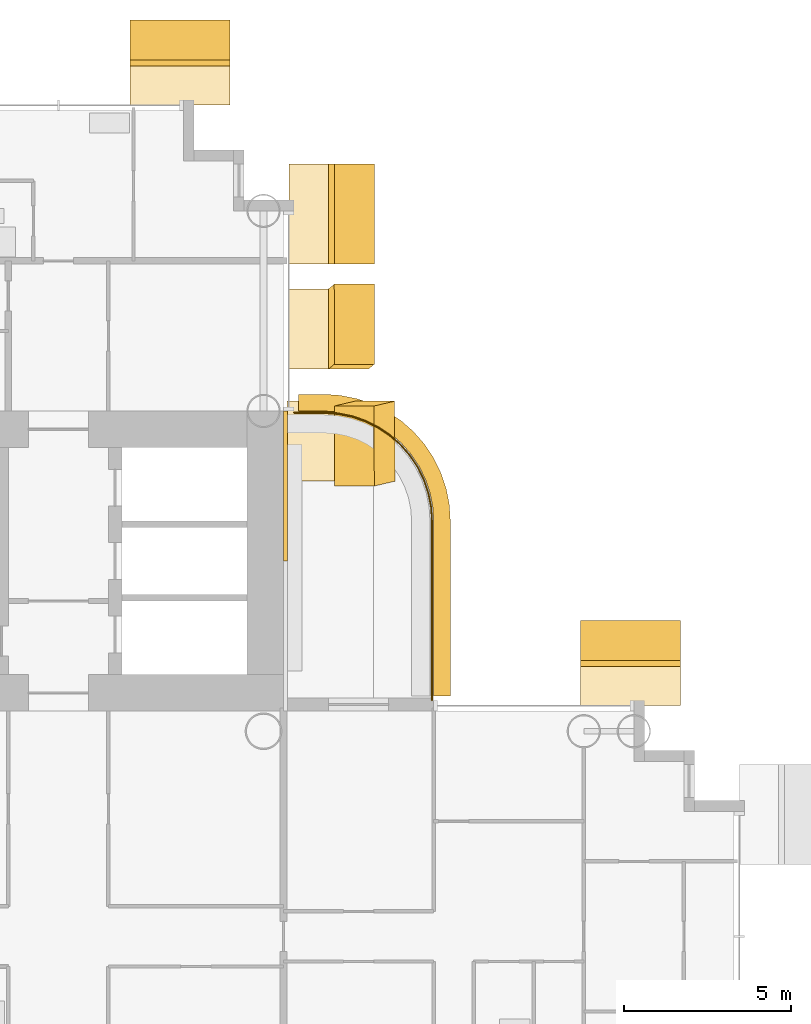
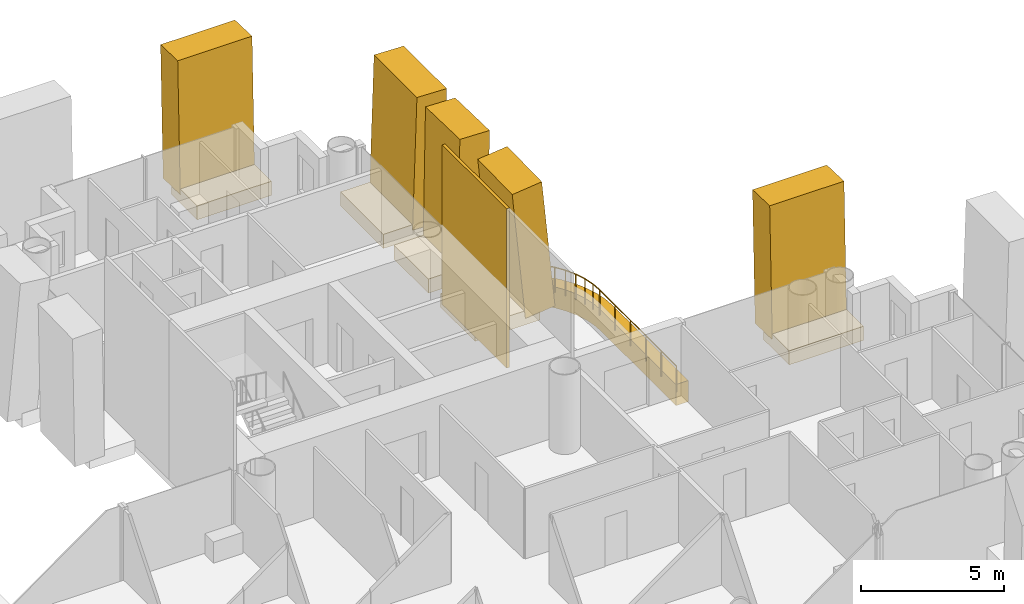
# One storey, part 24 of 25: 12 coverings, 1 railing.
"""IFC4 building model written with IfcOpenShell, lengths in metres."""

import ifcopenshell
import ifcopenshell.guid

model = None  # the IFC model being written
_history = None  # IfcOwnerHistory: only IFC2X3 demands one
_inside = {}  # id of a spatial element -> (the spatial element, [elements in it])
_under = {}  # id of a project, library or spatial element -> (it, [spatial elements below it])
_declared = {}  # id of a project -> (the project, [libraries it declares])
_typed = {}  # id of a type object -> (the type object, [elements of that type])
_made_of = {}  # id of a material, layer set ... -> (it, [elements and type objects made of it])


def new_model(schema):
    """Start an empty IFC model of exactly this schema.

    Asked for "IFC4X3", IfcOpenShell would pick the latest addendum, in which some entities
    have other attributes; the version numbers below select the first issue.
    IFC2X3 requires an IfcOwnerHistory on every rooted entity: one is made here for all.
    """
    global model, _history
    if schema == "IFC4X3":
        model = ifcopenshell.file(schema_version=(4, 3, 0, 0))
    else:
        model = ifcopenshell.file(schema=schema)
    _inside.clear()
    _under.clear()
    _declared.clear()
    _typed.clear()
    _made_of.clear()
    _history = None
    if model.schema == "IFC2X3":
        org = make("IfcOrganization", Name="unknown")
        user = make(
            "IfcPersonAndOrganization",
            ThePerson=make("IfcPerson", FamilyName="unknown"),
            TheOrganization=org,
        )
        app = make(
            "IfcApplication",
            ApplicationDeveloper=org,
            Version="unknown",
            ApplicationFullName="unknown",
            ApplicationIdentifier="unknown",
        )
        _history = make(
            "IfcOwnerHistory",
            OwningUser=user,
            OwningApplication=app,
            ChangeAction="ADDED",
            CreationDate=0,
        )
    return model


def make(cls, **values):
    """One entity of the class cls with the attributes given. An attribute that is None is left unset."""
    return model.create_entity(
        cls, **{name: value for name, value in values.items() if value is not None}
    )


def rooted(cls, **values):
    """An entity with a GlobalId (a new one), such as an element, a storey or a relation."""
    return make(cls, GlobalId=ifcopenshell.guid.new(), OwnerHistory=_history, **values)


def si_unit(unit_type, name, prefix=None):
    """IfcSIUnit, for example si_unit("LENGTHUNIT", "METRE", prefix="MILLI")."""
    return make("IfcSIUnit", UnitType=unit_type, Prefix=prefix, Name=name)


def assignment(units):
    """IfcUnitAssignment: the units of a project."""
    return None if units is None else make("IfcUnitAssignment", Units=units)


def point(xyz):
    """IfcCartesianPoint."""
    return None if xyz is None else make("IfcCartesianPoint", Coordinates=xyz)


def direction(xyz):
    """IfcDirection."""
    return None if xyz is None else make("IfcDirection", DirectionRatios=xyz)


def frame(location, z_axis=None, x_axis=None):
    """IfcAxis2Placement3D, a coordinate frame: its origin and axes. An axis left out is left unset."""
    return make(
        "IfcAxis2Placement3D",
        Location=point(location),
        Axis=direction(z_axis),
        RefDirection=direction(x_axis),
    )


def frame_2d(location, x_axis=None):
    """IfcAxis2Placement2D, a coordinate frame in the plane: its origin and x axis."""
    return make(
        "IfcAxis2Placement2D", Location=point(location), RefDirection=direction(x_axis)
    )


def origin():
    """The frame at (0, 0, 0) with its axes left unset."""
    return frame((0.0, 0.0, 0.0))


def origin_2d():
    """The frame at (0, 0) in the plane with its x axis left unset."""
    return frame_2d((0.0, 0.0))


def place(relative_to, where):
    """IfcLocalPlacement: puts the frame where relative to a parent placement (None: the world)."""
    return make(
        "IfcLocalPlacement", PlacementRelTo=relative_to, RelativePlacement=where
    )


def context(
    kind, dimensions, precision=None, world=None, true_north=None, identifier=None
):
    """IfcGeometricRepresentationContext, for example the 3D "Model" context."""
    return make(
        "IfcGeometricRepresentationContext",
        ContextIdentifier=identifier,
        ContextType=kind,
        CoordinateSpaceDimension=dimensions,
        Precision=precision,
        WorldCoordinateSystem=world,
        TrueNorth=true_north,
    )


def subcontext(parent, identifier, kind, view, scale=None):
    """IfcGeometricRepresentationSubContext, for example "Body" below "Model"."""
    return make(
        "IfcGeometricRepresentationSubContext",
        ContextIdentifier=identifier,
        ContextType=kind,
        ParentContext=parent,
        TargetScale=scale,
        TargetView=view,
    )


def project(units=None, contexts=None):
    """IfcProject with its units and contexts."""
    return rooted(
        "IfcProject",
        Name="project",
        RepresentationContexts=contexts,
        UnitsInContext=assignment(units),
    )


def spatial(cls, under=None, at=None, **own):
    """A site, building, storey or space (cls), placed at a placement, below another one or the project."""
    s = rooted(cls, ObjectPlacement=at, **own)
    if under is not None:
        _under.setdefault(under.id(), (under, []))[1].append(s)
    return s


def polyline(points):
    """IfcPolyline through the points."""
    return make("IfcPolyline", Points=[point(p) for p in points])


def profile(cls, at=None, kind="AREA", **sizes):
    """A parametric profile (cls). Its sizes go by their IFC names, for example OverallWidth=200.0."""
    return make(cls, ProfileType=kind, Position=at, **sizes)


def rectangle(**sizes):
    """IfcRectangleProfileDef."""
    return profile("IfcRectangleProfileDef", **sizes)


def circle(**sizes):
    """IfcCircleProfileDef."""
    return profile("IfcCircleProfileDef", **sizes)


def outline(outer, holes=None, kind="AREA"):
    """IfcArbitraryClosedProfileDef: a profile drawn as a closed curve; with holes, ...WithVoids."""
    if holes is None:
        return make("IfcArbitraryClosedProfileDef", ProfileType=kind, OuterCurve=outer)
    return make(
        "IfcArbitraryProfileDefWithVoids",
        ProfileType=kind,
        OuterCurve=outer,
        InnerCurves=holes,
    )


def extrude(swept, where, along, depth):
    """IfcExtrudedAreaSolid: the profile swept, set in the frame where, extruded along a direction by depth."""
    return make(
        "IfcExtrudedAreaSolid",
        SweptArea=swept,
        Position=where,
        ExtrudedDirection=direction(along),
        Depth=depth,
    )


def shape(context_of_items, identifier, shape_type, items):
    """IfcShapeRepresentation: the items that make up one representation, for example the "Body"."""
    return make(
        "IfcShapeRepresentation",
        ContextOfItems=context_of_items,
        RepresentationIdentifier=identifier,
        RepresentationType=shape_type,
        Items=items,
    )


def material(Name=None, Category=None):
    """IfcMaterial."""
    return make("IfcMaterial", Name=Name, Category=Category)


def layer(
    of_material, thickness, ventilated=None, Name=None, Category=None, Priority=None
):
    """IfcMaterialLayer: one layer of a wall or slab, of a material (None: an air gap)."""
    return make(
        "IfcMaterialLayer",
        Material=of_material,
        LayerThickness=thickness,
        IsVentilated=ventilated,
        Name=Name,
        Category=Category,
        Priority=Priority,
    )


def layer_set(layers, Name=None):
    """IfcMaterialLayerSet."""
    return make("IfcMaterialLayerSet", MaterialLayers=layers, LayerSetName=Name)


def material_profile(
    of_material, cross_section, Name=None, Category=None, Priority=None
):
    """IfcMaterialProfile: a cross section and its material."""
    return make(
        "IfcMaterialProfile",
        Name=Name,
        Material=of_material,
        Profile=cross_section,
        Priority=Priority,
        Category=Category,
    )


def profile_set(profiles, Name=None, composite=None):
    """IfcMaterialProfileSet."""
    return make(
        "IfcMaterialProfileSet",
        Name=Name,
        MaterialProfiles=profiles,
        CompositeProfile=composite,
    )


def made_of(thing, what):
    """Note that an element or type object is made of a material, layer set ...; save() writes the relation."""
    if what is not None:
        _made_of.setdefault(what.id(), (what, []))[1].append(thing)
    return thing


def type_object(cls, material=None, **own):
    """A type object (cls), such as IfcWallType, which elements share."""
    return made_of(rooted(cls, **own), material)


def element(
    cls,
    number,
    at=None,
    inside=None,
    cuts=None,
    type_object=None,
    material=None,
    context=None,
    identifier="Body",
    shape_type=None,
    held_by="IfcProductDefinitionShape",
    body=None,
    shapes=None,
    **own,
):
    """One element of the class cls, such as IfcWall. Its Tag is "e" and its number.

    at: its placement. inside: the storey or other place that contains it. cuts: it is an
    opening in that element (IfcRelVoidsElement). A single representation is given by context,
    identifier, shape_type and body (its items); several are given by shapes. held_by: the class
    of the entity that holds the representations. save() writes the other relations.
    """
    e = rooted(cls, Tag="e%d" % number, ObjectPlacement=at, **own)
    if body is not None:
        shapes = [shape(context, identifier, shape_type, body)]
    if shapes is not None:
        e.Representation = make(held_by, Representations=shapes)
    if inside is not None:
        _inside.setdefault(inside.id(), (inside, []))[1].append(e)
    if cuts is not None:
        rooted(
            "IfcRelVoidsElement", RelatingBuildingElement=cuts, RelatedOpeningElement=e
        )
    if type_object is not None:
        _typed.setdefault(type_object.id(), (type_object, []))[1].append(e)
    return made_of(e, material)


def aggregate(whole, parts):
    """IfcRelAggregates: a whole, such as a stair, and the parts it consists of."""
    return rooted("IfcRelAggregates", RelatingObject=whole, RelatedObjects=parts)


def save(model, path):
    """Write the relations noted so far, then the file.

    IfcRelAggregates (storeys below a building ...), IfcRelContainedInSpatialStructure (elements
    in a storey), IfcRelDefinesByType, IfcRelAssociatesMaterial and IfcRelDeclares: one each for
    every whole, place, type object, material and project.
    """
    for whole, parts in _under.values():
        aggregate(whole, parts)
    for where, things in _inside.values():
        rooted(
            "IfcRelContainedInSpatialStructure",
            RelatedElements=things,
            RelatingStructure=where,
        )
    for kind, things in _typed.values():
        rooted("IfcRelDefinesByType", RelatedObjects=things, RelatingType=kind)
    for what, things in _made_of.values():
        rooted("IfcRelAssociatesMaterial", RelatedObjects=things, RelatingMaterial=what)
    for by, libraries in _declared.values():
        rooted("IfcRelDeclares", RelatingContext=by, RelatedDefinitions=libraries)
    model.write(path)


model = new_model("IFC4")

# Units and contexts
model_context = context("Model", 3, precision=1e-05, world=origin(), true_north=direction((0.0, 1.0)))
body_context = subcontext(model_context, "Body", "Model", "MODEL_VIEW")
ifc_project = project(units=[si_unit("LENGTHUNIT", "METRE"), si_unit("AREAUNIT", "SQUARE_METRE"), si_unit("VOLUMEUNIT", "CUBIC_METRE"), si_unit("PLANEANGLEUNIT", "RADIAN"), si_unit("MASSUNIT", "GRAM", prefix="KILO")], contexts=[model_context])

# Site, building, storey
site_placement = place(None, origin())
site = spatial("IfcSite", under=ifc_project, at=site_placement, CompositionType="ELEMENT")
building_placement = place(site_placement, origin())
building = spatial("IfcBuilding", under=site, at=building_placement, Name="Ipe Terrace Towers", CompositionType="ELEMENT")
storey_placement = place(building_placement, frame((0.0, 0.0, 65.300048828125)))
storey = spatial("IfcBuildingStorey", under=building, at=storey_placement, Name="L17", CompositionType="ELEMENT", Elevation=65.300048828125)

# Railing
ifc_material_1 = material(Name="Stainless steel S316", Category="steel")
railing_type = type_object("IfcRailingType", Name="GUARD 1100", PredefinedType="BALUSTRADE", material=ifc_material_1)
railing_placement = place(storey_placement, frame((47.199951171875, 7.070068359375, -0.02001953125)))
element("IfcRailing", 1, at=railing_placement, inside=storey, type_object=railing_type, Name="guard", PredefinedType="BALUSTRADE", context=body_context, shape_type="SweptSolid", body=[
    extrude(circle(Radius=0.02392578125, at=origin_2d()), frame((0.0, 0.0, 1.076171875), z_axis=(0.0, 1.0, 0.0), x_axis=(-1.0, 0.0, 0.0)), (0.0, 0.0, 1.0), 5.3779296875),
    extrude(circle(Radius=0.02392578125, at=origin_2d()), frame((0.0, 5.3779296875, 1.076171875), z_axis=(-0.065190546171, 0.997872833927, 0.0), x_axis=(-0.997872833927, -0.065190546171, 0.0)), (0.0, 0.0, 1.0), 0.427001953125),
    extrude(circle(Radius=0.02392578125, at=origin_2d()), frame((-0.02783203125, 5.803955078125, 1.076171875), z_axis=(-0.195232649896, 0.980756958892, 0.0), x_axis=(-0.980756958892, -0.195232649896, 0.0)), (0.0, 0.0, 1.0), 0.42529296875),
    extrude(circle(Radius=0.02392578125, at=origin_2d()), frame((-0.11083984375, 6.220947265625, 1.076171875), z_axis=(-0.320184280026, 0.947355280148, 0.0), x_axis=(-0.947355280148, -0.320184280026, 0.0)), (0.0, 0.0, 1.0), 0.425537109375),
    extrude(circle(Radius=0.02392578125, at=origin_2d()), frame((-0.2470703125, 6.6240234375, 1.076171875), z_axis=(-0.444455160923, 0.895801099535, 0.0), x_axis=(-0.895801099535, -0.444455160923, 0.0)), (0.0, 0.0, 1.0), 0.425048828125),
    extrude(circle(Radius=0.02392578125, at=origin_2d()), frame((-0.43603515625, 7.0048828125, 1.076171875), z_axis=(-0.55549616226, 0.83151910003, 0.0), x_axis=(-0.83151910003, -0.55549616226, 0.0)), (0.0, 0.0, 1.0), 0.424560546875),
    extrude(circle(Radius=0.02392578125, at=origin_2d()), frame((-0.671875, 7.35791015625, 1.076171875), z_axis=(-0.658463964434, 0.752612255774, 0.0), x_axis=(-0.752612255774, -0.658463964434, 0.0)), (0.0, 0.0, 1.0), 0.42529296875),
    extrude(circle(Radius=0.02392578125, at=origin_2d()), frame((-0.951904296875, 7.677978515625, 1.076171875), z_axis=(-0.752612255774, 0.658463964434, 0.0), x_axis=(-0.658463964434, -0.752612255774, 0.0)), (0.0, 0.0, 1.0), 0.42529296875),
    extrude(circle(Radius=0.02392578125, at=origin_2d()), frame((-1.27197265625, 7.9580078125, 1.076171875), z_axis=(-0.83151910003, 0.55549616226, 0.0), x_axis=(-0.55549616226, -0.83151910003, 0.0)), (0.0, 0.0, 1.0), 0.424560546875),
    extrude(circle(Radius=0.02392578125, at=origin_2d()), frame((-1.625, 8.19384765625, 1.076171875), z_axis=(-0.895801099535, 0.444455160923, 0.0), x_axis=(-0.444455160923, -0.895801099535, 0.0)), (0.0, 0.0, 1.0), 0.425048828125),
    extrude(circle(Radius=0.02392578125, at=origin_2d()), frame((-2.005859375, 8.3828125, 1.076171875), z_axis=(-0.947355280148, 0.320184280026, 0.0), x_axis=(-0.320184280026, -0.947355280148, 0.0)), (0.0, 0.0, 1.0), 0.425537109375),
    extrude(circle(Radius=0.02392578125, at=origin_2d()), frame((-2.408935546875, 8.51904296875, 1.076171875), z_axis=(-0.980756958892, 0.195232649896, 0.0), x_axis=(-0.195232649896, -0.980756958892, 0.0)), (0.0, 0.0, 1.0), 0.42529296875),
    extrude(circle(Radius=0.02392578125, at=origin_2d()), frame((-2.825927734375, 8.60205078125, 1.076171875), z_axis=(-0.997872833927, 0.065190546171, 0.0), x_axis=(-0.065190546171, -0.997872833927, 0.0)), (0.0, 0.0, 1.0), 0.427001953125),
    extrude(circle(Radius=0.02392578125, at=origin_2d()), frame((-3.251953125, 8.6298828125, 1.076171875), z_axis=(-1.0, 0.0, 0.0), x_axis=(0.0, -1.0, 0.0)), (0.0, 0.0, 1.0), 0.8779296875),
    extrude(circle(Radius=0.02099609375, at=origin_2d()), origin(), (0.0, 0.0, 1.0), 1.052001953125),
    extrude(circle(Radius=0.02099609375, at=origin_2d()), frame((0.0, 1.07568359375, 0.0)), (0.0, 0.0, 1.0), 1.052001953125),
    extrude(circle(Radius=0.02099609375, at=origin_2d()), frame((0.0, 2.151123046875, 0.0)), (0.0, 0.0, 1.0), 1.052001953125),
    extrude(circle(Radius=0.02099609375, at=origin_2d()), frame((0.0, 3.226806640625, 0.0)), (0.0, 0.0, 1.0), 1.052001953125),
    extrude(circle(Radius=0.02099609375, at=origin_2d()), frame((0.0, 4.30224609375, 0.0)), (0.0, 0.0, 1.0), 1.052001953125),
    extrude(circle(Radius=0.02099609375, at=origin_2d()), frame((0.0, 5.3779296875, 0.0)), (0.0, 0.0, 1.0), 1.052001953125),
    extrude(circle(Radius=0.02099609375, at=origin_2d()), frame((-0.02783203125, 5.803955078125, 0.0)), (0.0, 0.0, 1.0), 1.052001953125),
    extrude(circle(Radius=0.02099609375, at=origin_2d()), frame((-0.11083984375, 6.220947265625, 0.0)), (0.0, 0.0, 1.0), 1.052001953125),
    extrude(circle(Radius=0.02099609375, at=origin_2d()), frame((-0.2470703125, 6.6240234375, 0.0)), (0.0, 0.0, 1.0), 1.052001953125),
    extrude(circle(Radius=0.02099609375, at=origin_2d()), frame((-0.43603515625, 7.0048828125, 0.0)), (0.0, 0.0, 1.0), 1.052001953125),
    extrude(circle(Radius=0.02099609375, at=origin_2d()), frame((-0.671875, 7.35791015625, 0.0)), (0.0, 0.0, 1.0), 1.052001953125),
    extrude(circle(Radius=0.02099609375, at=origin_2d()), frame((-0.951904296875, 7.677978515625, 0.0)), (0.0, 0.0, 1.0), 1.052001953125),
    extrude(circle(Radius=0.02099609375, at=origin_2d()), frame((-1.27197265625, 7.9580078125, 0.0)), (0.0, 0.0, 1.0), 1.052001953125),
    extrude(circle(Radius=0.02099609375, at=origin_2d()), frame((-1.625, 8.19384765625, 0.0)), (0.0, 0.0, 1.0), 1.052001953125),
    extrude(circle(Radius=0.02099609375, at=origin_2d()), frame((-2.005859375, 8.3828125, 0.0)), (0.0, 0.0, 1.0), 1.052001953125),
    extrude(circle(Radius=0.02099609375, at=origin_2d()), frame((-2.408935546875, 8.51904296875, 0.0)), (0.0, 0.0, 1.0), 1.052001953125),
    extrude(circle(Radius=0.02099609375, at=origin_2d()), frame((-2.825927734375, 8.60205078125, 0.0)), (0.0, 0.0, 1.0), 1.052001953125),
    extrude(circle(Radius=0.02099609375, at=origin_2d()), frame((-3.251953125, 8.6298828125, 0.0)), (0.0, 0.0, 1.0), 1.052001953125),
    extrude(circle(Radius=0.02099609375, at=origin_2d()), frame((-4.1298828125, 8.6298828125, 0.0)), (0.0, 0.0, 1.0), 1.052001953125),
])

# Coverings
ifc_material_2 = material(Name="Concrete C50/60 precast, buff finish", Category="concrete")
ifc_layer_1 = layer(ifc_material_2, 0.1201171875)
ifc_layer_set_1 = layer_set([ifc_layer_1], Name="STONE CORE CLADDING 120")
covering_type_1 = type_object("IfcCoveringType", Name="STONE CORE CLADDING 120", PredefinedType="CLADDING", material=ifc_layer_set_1)
covering_1_placement = place(storey_placement, frame((42.81005859375, 13.5, 0.0), z_axis=(0.0, 0.0, 1.0), x_axis=(0.0, 1.0, 0.0)))
element("IfcCovering", 2, at=covering_1_placement, inside=storey, type_object=covering_type_1, Name="stone core cladding", PredefinedType="CLADDING", context=body_context, shape_type="SweptSolid", body=[
    extrude(rectangle(XDim=4.5009765625, YDim=0.1201171875, at=origin_2d()), origin(), (0.0, 0.0, 1.0), 6.800048828125),
])
ifc_material_3 = material(Name="Concrete C50/60 precast, buff finish", Category="concrete")
ifc_layer_2 = layer(ifc_material_3, 0.5)
ifc_layer_set_2 = layer_set([ifc_layer_2], Name="STONE EDGE BAND 500 x 900")
covering_type_2 = type_object("IfcCoveringType", Name="STONE EDGE BAND 500 x 900", PredefinedType="CLADDING", material=ifc_layer_set_2)
covering_2_placement = place(storey_placement, frame((0.0, 0.0, -0.719970703125)))
element("IfcCovering", 3, at=covering_2_placement, inside=storey, type_object=covering_type_2, Name="stone edge band", PredefinedType="CLADDING", context=body_context, shape_type="SweptSolid", body=[
    extrude(outline(polyline([(47.75, 12.449951171875), (47.7490234375, 12.48291015625), (47.720947265625, 12.9130859375), (47.7119140625, 12.97802734375), (47.6279296875, 13.402099609375), (47.611083984375, 13.465087890625), (47.471923828125, 13.8740234375), (47.447021484375, 13.93408203125), (47.256103515625, 14.321044921875), (47.22412109375, 14.3779296875), (46.98388671875, 14.737060546875), (46.944091796875, 14.7890625), (46.658935546875, 15.113037109375), (46.613037109375, 15.158935546875), (46.2890625, 15.444091796875), (46.237060546875, 15.48388671875), (45.8779296875, 15.72412109375), (45.821044921875, 15.756103515625), (45.43408203125, 15.947021484375), (45.3740234375, 15.971923828125), (44.965087890625, 16.111083984375), (44.902099609375, 16.1279296875), (44.47802734375, 16.2119140625), (44.4130859375, 16.220947265625), (43.98291015625, 16.2490234375), (43.949951171875, 16.25), (43.199951171875, 16.25), (43.199951171875, 15.75), (43.949951171875, 15.75), (44.381103515625, 15.721923828125), (44.803955078125, 15.637939453125), (45.212890625, 15.4990234375), (45.60009765625, 15.30810546875), (45.958984375, 15.068115234375), (46.282958984375, 14.782958984375), (46.568115234375, 14.458984375), (46.80810546875, 14.10009765625), (46.9990234375, 13.712890625), (47.137939453125, 13.303955078125), (47.221923828125, 12.881103515625), (47.25, 12.449951171875), (47.25, 7.199951171875), (47.75, 7.199951171875), (47.75, 12.449951171875)])), origin(), (0.0, 0.0, 1.0), 0.89990234375),
])
ifc_material_4 = material(Name="Concrete C50/60 precast, buff finish", Category="concrete")
ifc_material_profile_1 = material_profile(ifc_material_4, rectangle(XDim=2.39990234375, YDim=1.199951171875, at=origin_2d()), Name="STONE FIN 2400 x 1200")
ifc_profile_set_1 = profile_set([ifc_material_profile_1], Name="Concrete C50/60 precast, buff finish")
covering_type_3 = type_object("IfcCoveringType", Name="STONE FIN 2400 x 1200", PredefinedType="USERDEFINED", material=ifc_profile_set_1)
covering_3_placement = place(storey_placement, frame((44.693115234375, 18.2060546875, 0.0), z_axis=(0.031582104491, 0.025701298827, 0.999170663057), x_axis=(-0.000811969321, 0.999669667059, -0.025688469539)))
element("IfcCovering", 4, at=covering_3_placement, inside=storey, type_object=covering_type_3, Name="stone fin", ObjectType="FIN", PredefinedType="USERDEFINED", context=body_context, shape_type="SweptSolid", body=[
    extrude(rectangle(XDim=2.39990234375, YDim=1.199951171875, at=origin_2d()), origin(), (0.0, 0.0, 1.0), 5.6044921875),
])
covering_4_placement = place(storey_placement, frame((45.487060546875, 14.843994140625, 0.0), z_axis=(-0.109472973473, -0.025559578294, 0.993661097174), x_axis=(-0.002798997469, 0.999673300612, 0.025405858689)))
element("IfcCovering", 5, at=covering_4_placement, inside=storey, type_object=covering_type_3, Name="stone fin", ObjectType="FIN", PredefinedType="USERDEFINED", context=body_context, shape_type="SweptSolid", body=[
    extrude(rectangle(XDim=2.39990234375, YDim=1.199951171875, at=origin_2d()), origin(), (0.0, 0.0, 1.0), 5.635498046875),
])
ifc_material_5 = material(Name="Concrete C50/60 precast, buff finish", Category="concrete")
ifc_material_profile_2 = material_profile(ifc_material_5, rectangle(XDim=3.0, YDim=1.199951171875, at=origin_2d()), Name="STONE FIN CORNER 3000 x 1200")
ifc_profile_set_2 = profile_set([ifc_material_profile_2], Name="Concrete C50/60 precast, buff finish")
covering_type_4 = type_object("IfcCoveringType", Name="STONE FIN CORNER 3000 x 1200", PredefinedType="USERDEFINED", material=ifc_profile_set_2)
for number, where, z_axis, x_axis, name in (
    (6, (39.64990234375, 26.693115234375, 0.0), (0.0, 0.031592540548, 0.999500831106), (-1.0, 0.0, 0.0), "stone fin"),
    (7, (44.693115234375, 21.64990234375, 0.0), (0.031592540548, 0.0, 0.999500831106), (0.0, 1.0, 0.0), "stone fin"),
    (8, (53.14990234375, 8.693115234375, 0.0), (0.0, 0.031592540548, 0.999500831106), (-1.0, 0.0, 0.0), "stone fin"),
):
    element("IfcCovering", number, at=place(storey_placement, frame(where, z_axis=z_axis, x_axis=x_axis)), inside=storey, type_object=covering_type_4, Name=name, ObjectType="FIN", PredefinedType="USERDEFINED", context=body_context, shape_type="SweptSolid", body=[
        extrude(rectangle(XDim=3.0, YDim=1.199951171875, at=origin_2d()), origin(), (0.0, 0.0, 1.0), 5.6025390625),
    ])
ifc_material_6 = material(Name="Concrete C50/60 precast, buff finish", Category="concrete")
covering_type_5 = type_object("IfcCoveringType", Name="STONE FIN SHELF 2400 x 600", PredefinedType="CLADDING", material=ifc_material_6)
covering_5_placement = place(storey_placement, frame((43.803955078125, 18.2060546875, -0.35009765625), z_axis=(0.0, 0.0, 1.0), x_axis=(0.0, 1.0, 0.0)))
element("IfcCovering", 9, at=covering_5_placement, inside=storey, type_object=covering_type_5, Name="stone fin shelf", PredefinedType="CLADDING", context=body_context, shape_type="SweptSolid", body=[
    extrude(rectangle(XDim=2.39990234375, YDim=1.777099609375, at=origin_2d()), origin(), (0.0, 0.0, 1.0), 0.60009765625),
])
covering_6_placement = place(storey_placement, frame((44.174072265625, 14.843994140625, -0.35009765625), z_axis=(0.0, 0.0, 1.0), x_axis=(0.0, 1.0, 0.0)))
element("IfcCovering", 10, at=covering_6_placement, inside=storey, type_object=covering_type_5, Name="stone fin shelf", PredefinedType="CLADDING", context=body_context, shape_type="SweptSolid", body=[
    extrude(rectangle(XDim=2.39990234375, YDim=2.626953125, at=origin_2d()), origin(), (0.0, 0.0, 1.0), 0.60009765625),
])
ifc_material_7 = material(Name="Concrete C50/60 precast, buff finish", Category="concrete")
covering_type_6 = type_object("IfcCoveringType", Name="STONE FIN SHELF 3000 x 600", PredefinedType="CLADDING", material=ifc_material_7)
for number, where, z_axis, x_axis, name in (
    (11, (39.64990234375, 25.804931640625, -0.35009765625), (0.0, 0.0, 1.0), (-1.0, 0.0, 0.0), "stone fin shelf"),
    (12, (43.803955078125, 21.64990234375, -0.35009765625), (0.0, 0.0, 1.0), (0.0, 1.0, 0.0), "stone fin shelf"),
    (13, (53.14990234375, 7.803955078125, -0.35009765625), (0.0, 0.0, 1.0), (-1.0, 0.0, 0.0), "stone fin shelf"),
):
    element("IfcCovering", number, at=place(storey_placement, frame(where, z_axis=z_axis, x_axis=x_axis)), inside=storey, type_object=covering_type_6, Name=name, PredefinedType="CLADDING", context=body_context, shape_type="SweptSolid", body=[
        extrude(rectangle(XDim=3.0, YDim=1.777099609375, at=origin_2d()), origin(), (0.0, 0.0, 1.0), 0.60009765625),
    ])

save(model, "model.ifc")
